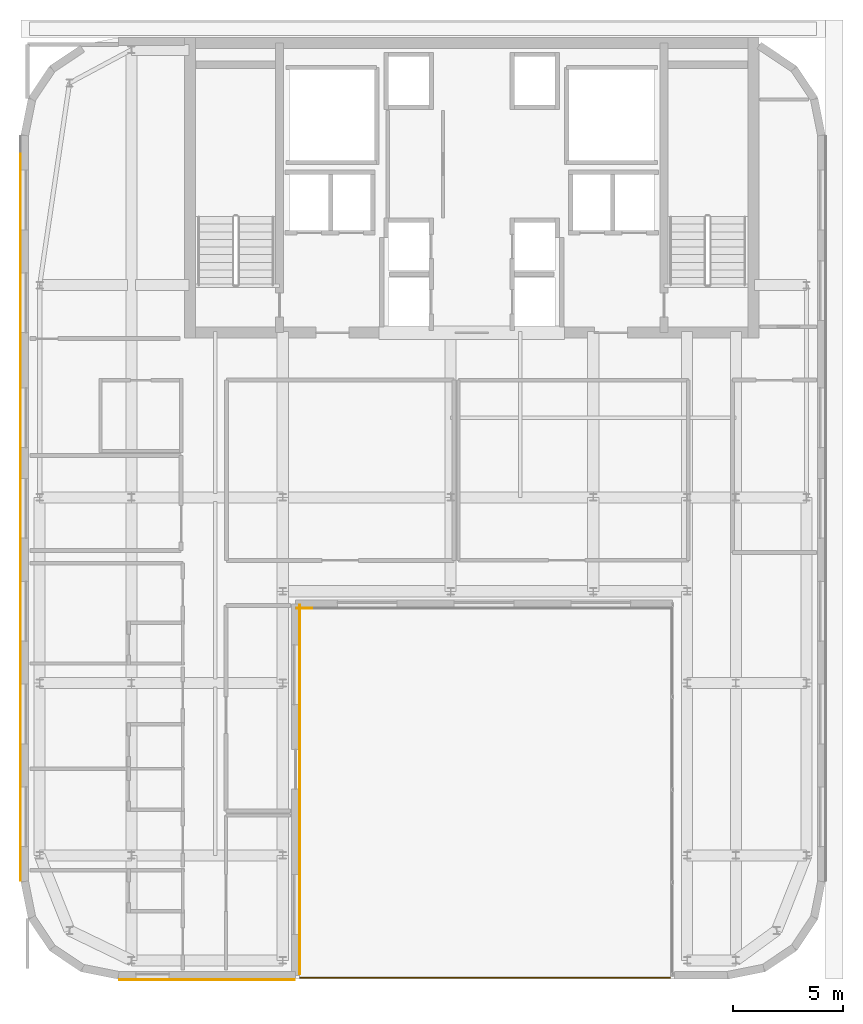
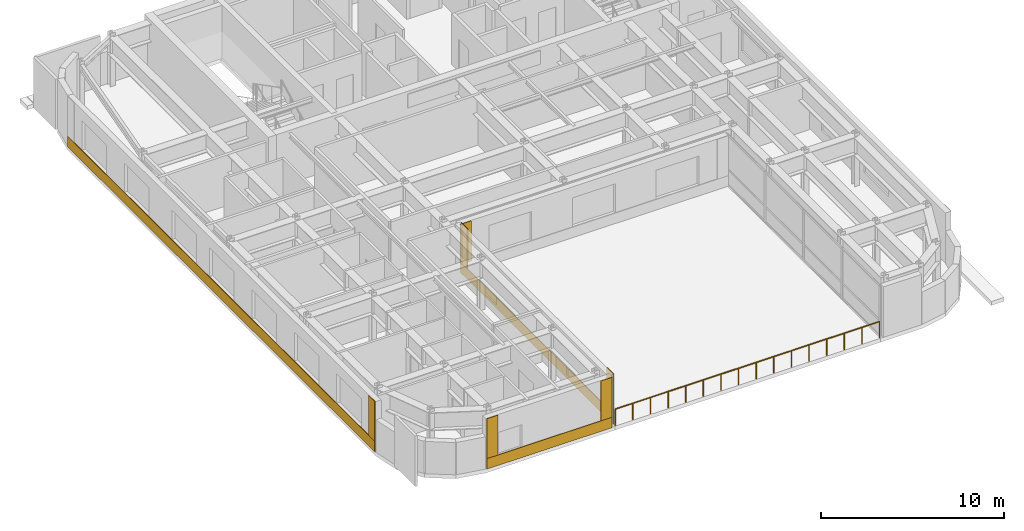
# One storey, part 12 of 16: 9 coverings, 1 railing.
"""IFC4 building model written with IfcOpenShell, lengths in metres."""

from ifc_helpers import new_model, si_unit, direction, frame, origin, origin_2d, place, context, subcontext, project, spatial, polyline, circle, outline, extrude, material, layer, layer_set, type_object, element, save


model = new_model("IFC4")

# Units and contexts
model_context = context("Model", 3, precision=1e-05, world=origin(), true_north=direction((0.0, 1.0)))
body_context = subcontext(model_context, "Body", "Model", "MODEL_VIEW")
ifc_project = project(units=[si_unit("LENGTHUNIT", "METRE"), si_unit("AREAUNIT", "SQUARE_METRE"), si_unit("VOLUMEUNIT", "CUBIC_METRE"), si_unit("PLANEANGLEUNIT", "RADIAN"), si_unit("MASSUNIT", "GRAM", prefix="KILO")], contexts=[model_context])

# Site, building, storey
site_placement = place(None, origin())
site = spatial("IfcSite", under=ifc_project, at=site_placement, CompositionType="ELEMENT")
building_placement = place(site_placement, origin())
building = spatial("IfcBuilding", under=site, at=building_placement, Name="Tolvann Quenvar Hotel", CompositionType="ELEMENT")
storey_placement = place(building_placement, frame((0.0, 0.0, 241.64990234375)))
storey = spatial("IfcBuildingStorey", under=building, at=storey_placement, Name="L64", CompositionType="ELEMENT", Elevation=241.64990234375)

# Coverings
ifc_material_1 = material(Name="Kiln-fired red architectural face brick cladding", Category="masonry")
ifc_layer_1 = layer(ifc_material_1, 0.0400390625)
ifc_layer_set_1 = layer_set([ifc_layer_1], Name="Kiln-fired red architectural face brick cladding")
covering_type_1 = type_object("IfcCoveringType", Name="COV_CLAD_BRICK_40", PredefinedType="CLADDING", material=ifc_layer_set_1)
covering_1_placement = place(storey_placement, frame((0.0, 0.0, 0.7001953125)))
element("IfcCovering", 1, at=covering_1_placement, inside=storey, type_object=covering_type_1, Name="Brick Pier Cladding (L64-E04-P1)", PredefinedType="CLADDING", context=body_context, shape_type="SweptSolid", body=[
    extrude(outline(polyline([(7.067138671875, 2.60009765625), (7.76708984375, 2.60009765625), (7.76708984375, 2.56005859375), (7.067138671875, 2.56005859375), (7.067138671875, 2.60009765625)])), origin(), (0.0, 0.0, 1.0), 2.669921875),
])
covering_2_placement = place(storey_placement, frame((0.0, 0.0, 0.7001953125)))
element("IfcCovering", 2, at=covering_2_placement, inside=storey, type_object=covering_type_1, Name="Brick Pier Cladding (L64-E04-P2)", PredefinedType="CLADDING", context=body_context, shape_type="SweptSolid", body=[
    extrude(outline(polyline([(14.27490234375, 2.60009765625), (14.97509765625, 2.60009765625), (14.97509765625, 2.56005859375), (14.27490234375, 2.56005859375), (14.27490234375, 2.60009765625)])), origin(), (0.0, 0.0, 1.0), 2.669921875),
])
covering_3_placement = place(storey_placement, frame((0.0, 0.0, 0.7001953125)))
element("IfcCovering", 3, at=covering_3_placement, inside=storey, type_object=covering_type_1, Name="Brick Pier Cladding (L64-E05-P1)", PredefinedType="CLADDING", context=body_context, shape_type="SweptSolid", body=[
    extrude(outline(polyline([(15.199951171875, 2.824951171875), (15.199951171875, 3.52490234375), (15.239990234375, 3.52490234375), (15.239990234375, 2.824951171875), (15.199951171875, 2.824951171875)])), origin(), (0.0, 0.0, 1.0), 2.669921875),
])
covering_4_placement = place(storey_placement, frame((0.0, 0.0, 0.7001953125)))
element("IfcCovering", 4, at=covering_4_placement, inside=storey, type_object=covering_type_1, Name="Brick Pier Cladding (L64-E05-P2)", PredefinedType="CLADDING", context=body_context, shape_type="SweptSolid", body=[
    extrude(outline(polyline([(15.199951171875, 18.824951171875), (15.199951171875, 19.52490234375), (15.239990234375, 19.52490234375), (15.239990234375, 18.824951171875), (15.199951171875, 18.824951171875)])), origin(), (0.0, 0.0, 1.0), 2.669921875),
])
covering_5_placement = place(storey_placement, frame((0.0, 0.0, 0.7001953125)))
element("IfcCovering", 5, at=covering_5_placement, inside=storey, type_object=covering_type_1, Name="Brick Pier Cladding (L64-E06-P1)", PredefinedType="CLADDING", context=body_context, shape_type="SweptSolid", body=[
    extrude(outline(polyline([(15.074951171875, 19.39990234375), (15.77490234375, 19.39990234375), (15.77490234375, 19.360107421875), (15.074951171875, 19.360107421875), (15.074951171875, 19.39990234375)])), origin(), (0.0, 0.0, 1.0), 2.669921875),
])
covering_6_placement = place(storey_placement, frame((0.0, 0.0, 0.7001953125)))
element("IfcCovering", 6, at=covering_6_placement, inside=storey, type_object=covering_type_1, Name="Brick Pier Cladding (L64-E23-P2)", PredefinedType="CLADDING", context=body_context, shape_type="SweptSolid", body=[
    extrude(outline(polyline([(2.60009765625, 7.76708984375), (2.60009765625, 7.067138671875), (2.56005859375, 7.067138671875), (2.56005859375, 7.76708984375), (2.60009765625, 7.76708984375)])), origin(), (0.0, 0.0, 1.0), 2.669921875),
])
ifc_material_2 = material(Name="Moulded buff architectural terracotta spandrel cladding", Category="masonry")
ifc_layer_2 = layer(ifc_material_2, 0.0400390625)
ifc_layer_set_2 = layer_set([ifc_layer_2], Name="Moulded buff architectural terracotta spandrel cladding")
covering_type_2 = type_object("IfcCoveringType", Name="COV_CLAD_TERRA_40", PredefinedType="CLADDING", material=ifc_layer_set_2)
covering_7_placement = place(storey_placement, origin())
element("IfcCovering", 7, at=covering_7_placement, inside=storey, type_object=covering_type_2, Name="Terracotta Spandrel Cladding (L64-E04)", PredefinedType="CLADDING", context=body_context, shape_type="SweptSolid", body=[
    extrude(outline(polyline([(7.05712890625, 2.60009765625), (14.985107421875, 2.60009765625), (14.985107421875, 2.56005859375), (7.05712890625, 2.56005859375), (7.05712890625, 2.60009765625)])), origin(), (0.0, 0.0, 1.0), 0.7001953125),
])
covering_8_placement = place(storey_placement, origin())
element("IfcCovering", 8, at=covering_8_placement, inside=storey, type_object=covering_type_2, Name="Terracotta Spandrel Cladding (L64-E05)", PredefinedType="CLADDING", context=body_context, shape_type="SweptSolid", body=[
    extrude(outline(polyline([(15.199951171875, 2.81494140625), (15.199951171875, 19.534912109375), (15.239990234375, 19.534912109375), (15.239990234375, 2.81494140625), (15.199951171875, 2.81494140625)])), origin(), (0.0, 0.0, 1.0), 0.7001953125),
])
covering_9_placement = place(storey_placement, origin())
element("IfcCovering", 9, at=covering_9_placement, inside=storey, type_object=covering_type_2, Name="Terracotta Spandrel Cladding (L64-E23)", PredefinedType="CLADDING", context=body_context, shape_type="SweptSolid", body=[
    extrude(outline(polyline([(2.60009765625, 40.742919921875), (2.60009765625, 7.05712890625), (2.56005859375, 7.05712890625), (2.56005859375, 40.742919921875), (2.60009765625, 40.742919921875)])), origin(), (0.0, 0.0, 1.0), 0.7001953125),
])

# Railing
ifc_material_3 = material(Name="Brushed 316 marine-grade stainless steel balustrade and laminated safety glass", Category="steel")
railing_type = type_object("IfcRailingType", Name="RAIL_BAL_1100", PredefinedType="BALUSTRADE", material=ifc_material_3)
railing_placement = place(storey_placement, frame((15.239990234375, 2.659912109375, 0.0)))
element("IfcRailing", 10, at=railing_placement, inside=storey, type_object=railing_type, Name="Safety Balustrade BAL-TER-L64-PORTAL", PredefinedType="BALUSTRADE", context=body_context, shape_type="SweptSolid", body=[
    extrude(circle(Radius=0.02490234375, at=origin_2d()), frame((0.0, 0.0, 1.09521484375), z_axis=(1.0, 0.0, 0.0), x_axis=(0.0, 1.0, 0.0)), (0.0, 0.0, 1.0), 16.719970703125),
    extrude(circle(Radius=0.02197265625, at=origin_2d()), origin(), (0.0, 0.0, 1.0), 1.070068359375),
    extrude(circle(Radius=0.02197265625, at=origin_2d()), frame((1.11474609375, 0.0, 0.0)), (0.0, 0.0, 1.0), 1.070068359375),
    extrude(circle(Radius=0.02197265625, at=origin_2d()), frame((2.229248046875, 0.0, 0.0)), (0.0, 0.0, 1.0), 1.070068359375),
    extrude(circle(Radius=0.02197265625, at=origin_2d()), frame((3.343994140625, 0.0, 0.0)), (0.0, 0.0, 1.0), 1.070068359375),
    extrude(circle(Radius=0.02197265625, at=origin_2d()), frame((4.458740234375, 0.0, 0.0)), (0.0, 0.0, 1.0), 1.070068359375),
    extrude(circle(Radius=0.02197265625, at=origin_2d()), frame((5.5732421875, 0.0, 0.0)), (0.0, 0.0, 1.0), 1.070068359375),
    extrude(circle(Radius=0.02197265625, at=origin_2d()), frame((6.68798828125, 0.0, 0.0)), (0.0, 0.0, 1.0), 1.070068359375),
    extrude(circle(Radius=0.02197265625, at=origin_2d()), frame((7.802734375, 0.0, 0.0)), (0.0, 0.0, 1.0), 1.070068359375),
    extrude(circle(Radius=0.02197265625, at=origin_2d()), frame((8.917236328125, 0.0, 0.0)), (0.0, 0.0, 1.0), 1.070068359375),
    extrude(circle(Radius=0.02197265625, at=origin_2d()), frame((10.031982421875, 0.0, 0.0)), (0.0, 0.0, 1.0), 1.070068359375),
    extrude(circle(Radius=0.02197265625, at=origin_2d()), frame((11.146728515625, 0.0, 0.0)), (0.0, 0.0, 1.0), 1.070068359375),
    extrude(circle(Radius=0.02197265625, at=origin_2d()), frame((12.26123046875, 0.0, 0.0)), (0.0, 0.0, 1.0), 1.070068359375),
    extrude(circle(Radius=0.02197265625, at=origin_2d()), frame((13.3759765625, 0.0, 0.0)), (0.0, 0.0, 1.0), 1.070068359375),
    extrude(circle(Radius=0.02197265625, at=origin_2d()), frame((14.49072265625, 0.0, 0.0)), (0.0, 0.0, 1.0), 1.070068359375),
    extrude(circle(Radius=0.02197265625, at=origin_2d()), frame((15.605224609375, 0.0, 0.0)), (0.0, 0.0, 1.0), 1.070068359375),
    extrude(circle(Radius=0.02197265625, at=origin_2d()), frame((16.719970703125, 0.0, 0.0)), (0.0, 0.0, 1.0), 1.070068359375),
])

save(model, "model.ifc")
